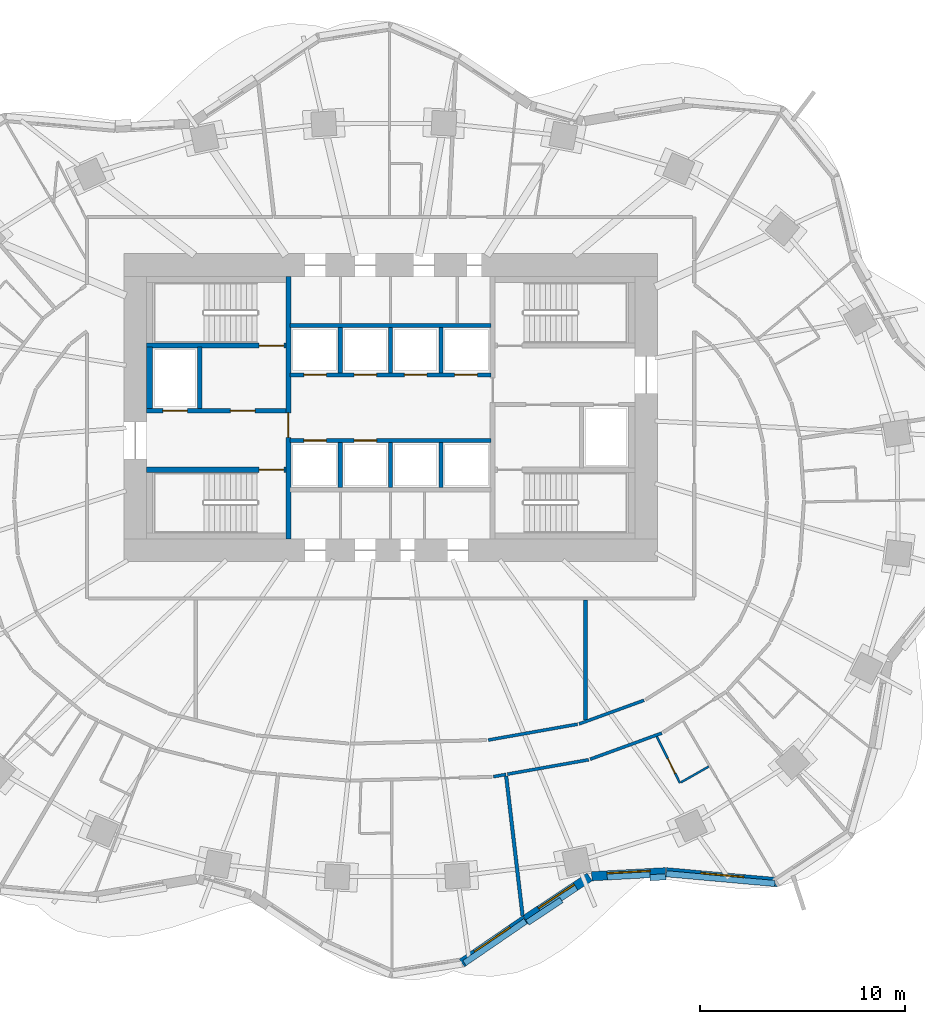
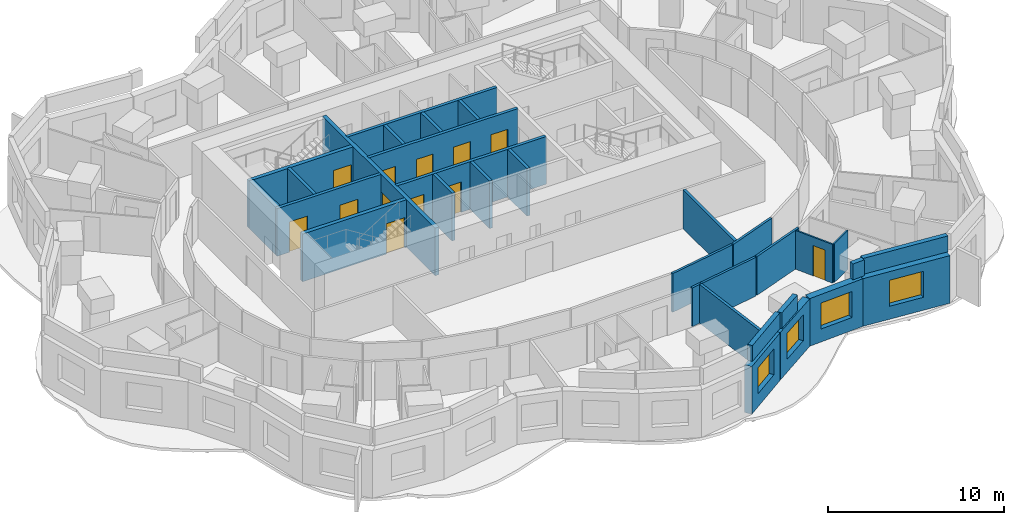
# One storey, part 6 of 12: 32 walls, 12 doors, 4 windows, 16 openings.
"""IFC4 building model written with IfcOpenShell, lengths in metres."""

from ifc_helpers import new_model, si_unit, direction, frame, frame_2d, origin, place, context, subcontext, project, spatial, rectangle, extrude, material, layer, layer_set, type_object, element, fill, save


model = new_model("IFC4")

# Units and contexts
model_context = context("Model", 3, precision=1e-05, world=origin(), true_north=direction((0.0, 1.0)))
body_context = subcontext(model_context, "Body", "Model", "MODEL_VIEW")
ifc_project = project(units=[si_unit("LENGTHUNIT", "METRE"), si_unit("AREAUNIT", "SQUARE_METRE"), si_unit("VOLUMEUNIT", "CUBIC_METRE"), si_unit("PLANEANGLEUNIT", "RADIAN"), si_unit("MASSUNIT", "GRAM", prefix="KILO")], contexts=[model_context])

# Site, building, storey
site_placement = place(None, origin())
site = spatial("IfcSite", under=ifc_project, at=site_placement, CompositionType="ELEMENT")
building_placement = place(site_placement, origin())
building = spatial("IfcBuilding", under=site, at=building_placement, Name="Rubra Terraces Tower", CompositionType="ELEMENT")
storey_placement = place(building_placement, frame((0.0, 0.0, 117.60009765625)))
storey = spatial("IfcBuildingStorey", under=building, at=storey_placement, Name="L28", CompositionType="ELEMENT", Elevation=117.60009765625)

# Walls
ifc_material_1 = material(Name="Twin plasterboard on staggered steel stud, acoustic mineral wool", Category="steel")
ifc_layer_1 = layer(ifc_material_1, 0.175048828125)
ifc_layer_set_1 = layer_set([ifc_layer_1], Name="Twin plasterboard on staggered steel stud, acoustic mineral wool")
wall_type_1 = type_object("IfcWallType", Name="ACOUSTIC PARTY WALL 175", PredefinedType="PARTITIONING", material=ifc_layer_set_1)
wall_1_placement = place(storey_placement, frame((6.433349609375, -20.256103515625, 0.0), z_axis=(0.0, 0.0, 1.0), x_axis=(-0.116866039573, 0.993147687303, 0.0)))
element("IfcWall", 1, at=wall_1_placement, inside=storey, type_object=wall_type_1, Name="PARTITION", PredefinedType="PARTITIONING", context=body_context, shape_type="SweptSolid", body=[
    extrude(rectangle(XDim=6.856201171875, YDim=0.175048828125, at=frame_2d((3.42822265625, 0.0))), origin(), (0.0, 0.0, 1.0), 2.683837890625),
])
wall_2_placement = place(storey_placement, frame((9.5, -10.723388671875, 0.0), z_axis=(0.0, 0.0, 1.0), x_axis=(0.0, 1.0, 0.0)))
element("IfcWall", 2, at=wall_2_placement, inside=storey, type_object=wall_type_1, Name="PARTITION", PredefinedType="PARTITIONING", context=body_context, shape_type="SweptSolid", body=[
    extrude(rectangle(XDim=5.848388671875, YDim=0.175048828125, at=frame_2d((2.92431640625, 0.0))), origin(), (0.0, 0.0, 1.0), 2.683837890625),
])

# Wall, opening, window
ifc_material_2 = material(Name="Brick masonry red-brown", Category="masonry")
ifc_layer_2 = layer(ifc_material_2, 0.449951171875)
ifc_layer_set_2 = layer_set([ifc_layer_2], Name="Brick masonry red-brown")
wall_type_2 = type_object("IfcWallType", Name="Brick facade wall 450", PredefinedType="SOLIDWALL", material=ifc_layer_set_2)
wall_3_placement = place(storey_placement, frame((3.478515625, -22.559814453125, 0.0), z_axis=(0.0, 0.0, 1.0), x_axis=(0.824722766417, 0.565537230033, 0.0)))
wall_3 = element("IfcWall", 3, at=wall_3_placement, inside=storey, type_object=wall_type_2, Name="Facade wall L28 bay 32", PredefinedType="SOLIDWALL", context=body_context, shape_type="SweptSolid", body=[
    extrude(rectangle(XDim=3.742431640625, YDim=0.449951171875, at=frame_2d((1.87109375, 0.0))), origin(), (0.0, 0.0, 1.0), 3.2998046875),
])
opening_1_placement = place(wall_3_placement, frame((0.8212890625, 0.0, 0.89990234375)))
opening_1 = element("IfcOpeningElement", 4, at=opening_1_placement, cuts=wall_3, Name="Opening W1Z", PredefinedType="OPENING", context=body_context, shape_type="SweptSolid", body=[
    extrude(rectangle(XDim=2.10009765625, YDim=1.800048828125, at=frame_2d((1.050048828125, 0.89990234375))), frame((0.0, 0.23486328125, 0.0), z_axis=(0.0, -1.0, 0.0), x_axis=(1.0, 0.0, 0.0)), (0.0, 0.0, 1.0), 0.469970703125),
])
ifc_material_3 = material(Name="Clear glass in aluminium frame", Category="aluminium")
window_type = type_object("IfcWindowType", Name="Fixed deep-set window under transfer level 2100 x 1800", PartitioningType="SINGLE_PANEL", PredefinedType="WINDOW", material=ifc_material_3)
window_1_placement = place(opening_1_placement, origin())
window_1 = element("IfcWindow", 5, at=window_1_placement, inside=storey, type_object=window_type, Name="Window L28 bay 32", OverallHeight=1.800048828125, OverallWidth=2.10009765625, PartitioningType="SINGLE_PANEL", PredefinedType="WINDOW", context=body_context, shape_type="SweptSolid", body=[
    extrude(rectangle(XDim=2.10009765625, YDim=1.800048828125, at=frame_2d((1.050048828125, 0.89990234375))), frame((0.0, 0.135009765625, 0.0), z_axis=(0.0, -1.0, 0.0), x_axis=(1.0, 0.0, 0.0)), (0.0, 0.0, 1.0), 0.06005859375),
])
fill(opening_1, window_1)

wall_4_placement = place(storey_placement, frame((6.568115234375, -20.44140625, 0.0), z_axis=(0.0, 0.0, 1.0), x_axis=(0.834034214531, 0.551712723246, 0.0)))
wall_4 = element("IfcWall", 6, at=wall_4_placement, inside=storey, type_object=wall_type_2, Name="Facade wall L28 bay 33", PredefinedType="SOLIDWALL", context=body_context, shape_type="SweptSolid", body=[
    extrude(rectangle(XDim=3.75732421875, YDim=0.449951171875, at=frame_2d((1.878662109375, 0.0))), origin(), (0.0, 0.0, 1.0), 3.2998046875),
])
opening_2_placement = place(wall_4_placement, frame((0.82861328125, 0.0, 0.89990234375)))
opening_2 = element("IfcOpeningElement", 7, at=opening_2_placement, cuts=wall_4, Name="Opening W1Z", PredefinedType="OPENING", context=body_context, shape_type="SweptSolid", body=[
    extrude(rectangle(XDim=2.10009765625, YDim=1.800048828125, at=frame_2d((1.050048828125, 0.89990234375))), frame((0.0, 0.23486328125, 0.0), z_axis=(0.0, -1.0, 0.0), x_axis=(1.0, 0.0, 0.0)), (0.0, 0.0, 1.0), 0.469970703125),
])
window_2_placement = place(opening_2_placement, origin())
window_2 = element("IfcWindow", 8, at=window_2_placement, inside=storey, type_object=window_type, Name="Window L28 bay 33", OverallHeight=1.800048828125, OverallWidth=2.10009765625, PartitioningType="SINGLE_PANEL", PredefinedType="WINDOW", context=body_context, shape_type="SweptSolid", body=[
    extrude(rectangle(XDim=2.10009765625, YDim=1.800048828125, at=frame_2d((1.050048828125, 0.89990234375))), frame((0.0, 0.135009765625, 0.0), z_axis=(0.0, -1.0, 0.0), x_axis=(1.0, 0.0, 0.0)), (0.0, 0.0, 1.0), 0.06005859375),
])
fill(opening_2, window_2)

wall_5_placement = place(storey_placement, frame((9.80322265625, -18.333740234375, 0.0), z_axis=(0.0, 0.0, 1.0), x_axis=(0.998525941495, 0.054276552602, 0.0)))
wall_5 = element("IfcWall", 9, at=wall_5_placement, inside=storey, type_object=wall_type_2, Name="Facade wall L28 bay 34", PredefinedType="SOLIDWALL", context=body_context, shape_type="SweptSolid", body=[
    extrude(rectangle(XDim=3.60302734375, YDim=0.449951171875, at=frame_2d((1.801513671875, 0.0))), origin(), (0.0, 0.0, 1.0), 3.2998046875),
])
opening_3_placement = place(wall_5_placement, frame((0.75146484375, 0.0, 0.89990234375)))
opening_3 = element("IfcOpeningElement", 10, at=opening_3_placement, cuts=wall_5, Name="Opening W1Z", PredefinedType="OPENING", context=body_context, shape_type="SweptSolid", body=[
    extrude(rectangle(XDim=2.10009765625, YDim=1.800048828125, at=frame_2d((1.050048828125, 0.89990234375))), frame((0.0, 0.23486328125, 0.0), z_axis=(0.0, -1.0, 0.0), x_axis=(1.0, 0.0, 0.0)), (0.0, 0.0, 1.0), 0.469970703125),
])
window_3_placement = place(opening_3_placement, origin())
window_3 = element("IfcWindow", 11, at=window_3_placement, inside=storey, type_object=window_type, Name="Window L28 bay 34", OverallHeight=1.800048828125, OverallWidth=2.10009765625, PartitioningType="SINGLE_PANEL", PredefinedType="WINDOW", context=body_context, shape_type="SweptSolid", body=[
    extrude(rectangle(XDim=2.10009765625, YDim=1.800048828125, at=frame_2d((1.050048828125, 0.89990234375))), frame((0.0, 0.135009765625, 0.0), z_axis=(0.0, -1.0, 0.0), x_axis=(1.0, 0.0, 0.0)), (0.0, 0.0, 1.0), 0.06005859375),
])
fill(opening_3, window_3)

wall_6_placement = place(storey_placement, frame((13.435791015625, -18.1376953125, 0.0), z_axis=(0.0, 0.0, 1.0), x_axis=(0.99598810213, -0.089485755376, 0.0)))
wall_6 = element("IfcWall", 12, at=wall_6_placement, inside=storey, type_object=wall_type_2, Name="Facade wall L28 bay 35", PredefinedType="SOLIDWALL", context=body_context, shape_type="SweptSolid", body=[
    extrude(rectangle(XDim=5.451171875, YDim=0.449951171875, at=frame_2d((2.7255859375, 0.0))), origin(), (0.0, 0.0, 1.0), 3.2998046875),
])
opening_4_placement = place(wall_6_placement, frame((1.675537109375, 0.0, 0.89990234375)))
opening_4 = element("IfcOpeningElement", 13, at=opening_4_placement, cuts=wall_6, Name="Opening W1Z", PredefinedType="OPENING", context=body_context, shape_type="SweptSolid", body=[
    extrude(rectangle(XDim=2.10009765625, YDim=1.800048828125, at=frame_2d((1.050048828125, 0.89990234375))), frame((0.0, 0.23486328125, 0.0), z_axis=(0.0, -1.0, 0.0), x_axis=(1.0, 0.0, 0.0)), (0.0, 0.0, 1.0), 0.469970703125),
])
window_4_placement = place(opening_4_placement, origin())
window_4 = element("IfcWindow", 14, at=window_4_placement, inside=storey, type_object=window_type, Name="Window L28 bay 35", OverallHeight=1.800048828125, OverallWidth=2.10009765625, PartitioningType="SINGLE_PANEL", PredefinedType="WINDOW", context=body_context, shape_type="SweptSolid", body=[
    extrude(rectangle(XDim=2.10009765625, YDim=1.800048828125, at=frame_2d((1.050048828125, 0.89990234375))), frame((0.0, 0.135009765625, 0.0), z_axis=(0.0, -1.0, 0.0), x_axis=(1.0, 0.0, 0.0)), (0.0, 0.0, 1.0), 0.06005859375),
])
fill(opening_4, window_4)

# Walls
ifc_layer_3 = layer(ifc_material_2, 0.300048828125)
ifc_layer_set_3 = layer_set([ifc_layer_3], Name="Brick masonry red-brown")
wall_type_3 = type_object("IfcWallType", Name="Brick parapet 300", PredefinedType="PARAPET", material=ifc_layer_set_3)
wall_7_placement = place(storey_placement, frame((3.59912109375, -22.56787109375, 3.599853515625), z_axis=(0.0, 0.0, 1.0), x_axis=(0.82476034254, 0.565482428881, 0.0)))
element("IfcWall", 15, at=wall_7_placement, inside=storey, type_object=wall_type_3, Name="Parapet L28 bay 32", PredefinedType="PARAPET", context=body_context, shape_type="SweptSolid", body=[
    extrude(rectangle(XDim=3.61572265625, YDim=0.300048828125, at=frame_2d((1.807861328125, 0.0))), origin(), (0.0, 0.0, 1.0), 1.10009765625),
])
wall_8_placement = place(storey_placement, frame((6.665283203125, -20.593017578125, 3.599853515625), z_axis=(0.0, 0.0, 1.0), x_axis=(0.834081514068, 0.551641213008, 0.0)))
element("IfcWall", 16, at=wall_8_placement, inside=storey, type_object=wall_type_3, Name="Parapet L28 bay 33", PredefinedType="PARAPET", context=body_context, shape_type="SweptSolid", body=[
    extrude(rectangle(XDim=1.991455078125, YDim=0.300048828125, at=frame_2d((0.99560546875, 0.0))), origin(), (0.0, 0.0, 1.0), 1.10009765625),
])
wall_9_placement = place(storey_placement, frame((12.638671875, -18.40478515625, 3.599853515625), z_axis=(0.0, 0.0, 1.0), x_axis=(0.998517272222, 0.054435806917, 0.0)))
element("IfcWall", 17, at=wall_9_placement, inside=storey, type_object=wall_type_3, Name="Parapet L28 bay 34", PredefinedType="PARAPET", context=body_context, shape_type="SweptSolid", body=[
    extrude(rectangle(XDim=0.771484375, YDim=0.300048828125, at=frame_2d((0.3857421875, 0.0))), origin(), (0.0, 0.0, 1.0), 1.10009765625),
])
wall_10_placement = place(storey_placement, frame((13.430908203125, -18.21240234375, 3.599853515625), z_axis=(0.0, 0.0, 1.0), x_axis=(0.995986354678, -0.089505202619, 0.0)))
element("IfcWall", 18, at=wall_10_placement, inside=storey, type_object=wall_type_3, Name="Parapet L28 bay 35", PredefinedType="PARAPET", context=body_context, shape_type="SweptSolid", body=[
    extrude(rectangle(XDim=5.31884765625, YDim=0.300048828125, at=frame_2d((2.659423828125, 0.0))), origin(), (0.0, 0.0, 1.0), 1.10009765625),
])
ifc_material_4 = material(Name="Plasterboard on steel stud, mineral wool infill", Category="steel")
ifc_layer_4 = layer(ifc_material_4, 0.14990234375)
ifc_layer_set_4 = layer_set([ifc_layer_4], Name="Plasterboard on steel stud, mineral wool infill")
wall_type_4 = type_object("IfcWallType", Name="CORRIDOR PARTITION 150", PredefinedType="PARTITIONING", material=ifc_layer_set_4)
wall_11_placement = place(storey_placement, frame((5.0146484375, -13.480224609375, 0.0), z_axis=(0.0, 0.0, 1.0), x_axis=(0.984644078065, 0.174573879866, 0.0)))
element("IfcWall", 19, at=wall_11_placement, inside=storey, type_object=wall_type_4, Name="PARTITION", PredefinedType="PARTITIONING", context=body_context, shape_type="SweptSolid", body=[
    extrude(rectangle(XDim=0.6181640625, YDim=0.14990234375, at=frame_2d((0.30908203125, 0.0))), origin(), (0.0, 0.0, 1.0), 2.683837890625),
])
wall_12_placement = place(storey_placement, frame((5.697021484375, -13.359130859375, 0.0), z_axis=(0.0, 0.0, 1.0), x_axis=(0.984641449362, 0.174588705818, 0.0)))
element("IfcWall", 20, at=wall_12_placement, inside=storey, type_object=wall_type_4, Name="PARTITION", PredefinedType="PARTITIONING", context=body_context, shape_type="SweptSolid", body=[
    extrude(rectangle(XDim=4.021728515625, YDim=0.14990234375, at=frame_2d((2.0107421875, 0.0))), origin(), (0.0, 0.0, 1.0), 2.683837890625),
])
wall_13_placement = place(storey_placement, frame((9.7275390625, -12.631103515625, 0.0), z_axis=(0.0, 0.0, 1.0), x_axis=(0.939626438181, 0.342201923826, 0.0)))
element("IfcWall", 21, at=wall_13_placement, inside=storey, type_object=wall_type_4, Name="PARTITION", PredefinedType="PARTITIONING", context=body_context, shape_type="SweptSolid", body=[
    extrude(rectangle(XDim=3.71630859375, YDim=0.14990234375, at=frame_2d((1.858154296875, 0.0))), origin(), (0.0, 0.0, 1.0), 2.683837890625),
])
wall_14_placement = place(storey_placement, frame((12.3525390625, -9.759521484375, 0.0), z_axis=(0.0, 0.0, 1.0), x_axis=(-0.939632450309, -0.342185415127, 0.0)))
element("IfcWall", 22, at=wall_14_placement, inside=storey, type_object=wall_type_4, Name="PARTITION", PredefinedType="PARTITIONING", context=body_context, shape_type="SweptSolid", body=[
    extrude(rectangle(XDim=3.36767578125, YDim=0.14990234375, at=frame_2d((1.683837890625, 0.0))), origin(), (0.0, 0.0, 1.0), 2.683837890625),
])
wall_15_placement = place(storey_placement, frame((9.114501953125, -10.925048828125, 0.0), z_axis=(0.0, 0.0, 1.0), x_axis=(-0.984632605417, -0.174638576352, 0.0)))
element("IfcWall", 23, at=wall_15_placement, inside=storey, type_object=wall_type_4, Name="PARTITION", PredefinedType="PARTITIONING", context=body_context, shape_type="SweptSolid", body=[
    extrude(rectangle(XDim=4.423095703125, YDim=0.14990234375, at=frame_2d((2.21142578125, 0.0))), origin(), (0.0, 0.0, 1.0), 2.683837890625),
])
ifc_material_5 = material(Name="Concrete C40", Category="concrete")
ifc_layer_5 = layer(ifc_material_5, 0.300048828125)
ifc_layer_set_5 = layer_set([ifc_layer_5], Name="Concrete C40")
wall_type_5 = type_object("IfcWallType", Name="Core lining wall 300 concrete", PredefinedType="SOLIDWALL", material=ifc_layer_set_5)
wall_16_placement = place(storey_placement, frame((-11.75, 4.449951171875, 0.0), z_axis=(0.0, 0.0, 1.0), x_axis=(0.0, 1.0, 0.0)))
element("IfcWall", 24, at=wall_16_placement, inside=storey, type_object=wall_type_5, Name="CORE LINING WALL L28", PredefinedType="SOLIDWALL", context=body_context, shape_type="SweptSolid", body=[
    extrude(rectangle(XDim=3.0, YDim=0.300048828125, at=frame_2d((1.5, 0.0))), origin(), (0.0, 0.0, 1.0), 3.2998046875),
])

# Wall, openings, doors
ifc_material_6 = material(Name="Concrete C30", Category="concrete")
ifc_layer_6 = layer(ifc_material_6, 0.199951171875)
ifc_layer_set_6 = layer_set([ifc_layer_6], Name="Concrete C30")
wall_type_6 = type_object("IfcWallType", Name="Core wall 200 concrete", PredefinedType="SOLIDWALL", material=ifc_layer_set_6)
wall_17_placement = place(storey_placement, frame((-11.89990234375, 4.35009765625, 0.0), z_axis=(0.0, 0.0, 1.0), x_axis=(1.0, 0.0, 0.0)))
wall_17 = element("IfcWall", 25, at=wall_17_placement, inside=storey, type_object=wall_type_6, Name="STAIR WALL L28", PredefinedType="SOLIDWALL", context=body_context, shape_type="SweptSolid", body=[
    extrude(rectangle(XDim=6.7998046875, YDim=0.199951171875, at=frame_2d((3.39990234375, 0.0))), origin(), (0.0, 0.0, 1.0), 3.2998046875),
])
opening_5_placement = place(wall_17_placement, frame((4.10009765625, 0.0, 0.0)))
opening_5 = element("IfcOpeningElement", 26, at=opening_5_placement, cuts=wall_17, Name="Opening L28.C05", PredefinedType="OPENING", context=body_context, shape_type="SweptSolid", body=[
    extrude(rectangle(XDim=1.199951171875, YDim=2.10009765625, at=frame_2d((0.60009765625, 1.050048828125))), frame((0.0, 0.10986328125, 0.0), z_axis=(0.0, -1.0, 0.0), x_axis=(1.0, 0.0, 0.0)), (0.0, 0.0, 1.0), 0.219970703125),
])
opening_6_placement = place(wall_17_placement, frame((0.800048828125, 0.0, 0.0)))
opening_6 = element("IfcOpeningElement", 27, at=opening_6_placement, cuts=wall_17, Name="Opening L28.C11", PredefinedType="OPENING", context=body_context, shape_type="SweptSolid", body=[
    extrude(rectangle(XDim=1.199951171875, YDim=2.10009765625, at=frame_2d((0.60009765625, 1.050048828125))), frame((0.0, 0.10986328125, 0.0), z_axis=(0.0, -1.0, 0.0), x_axis=(1.0, 0.0, 0.0)), (0.0, 0.0, 1.0), 0.219970703125),
])
ifc_material_7 = material(Name="Painted steel", Category="steel")
door_type_1 = type_object("IfcDoorType", Name="Fire door 1200x2100 single", OperationType="NOTDEFINED", PredefinedType="DOOR", material=ifc_material_7)
door_1_placement = place(opening_5_placement, origin())
door_1 = element("IfcDoor", 28, at=door_1_placement, inside=storey, type_object=door_type_1, Name="Stair vestibule door S2", OperationType="SINGLE_SWING_LEFT", OverallHeight=2.10009765625, OverallWidth=1.199951171875, PredefinedType="DOOR", context=body_context, shape_type="SweptSolid", body=[
    extrude(rectangle(XDim=1.199951171875, YDim=2.10009765625, at=frame_2d((0.60009765625, 1.050048828125))), frame((0.0, 0.02490234375, 0.0), z_axis=(0.0, -1.0, 0.0), x_axis=(1.0, 0.0, 0.0)), (0.0, 0.0, 1.0), 0.050048828125),
])
fill(opening_5, door_1)
ifc_material_8 = material(Name="Stainless steel", Category="steel")
door_type_2 = type_object("IfcDoorType", Name="Lift landing door 1200x2100", OperationType="NOTDEFINED", PredefinedType="DOOR", material=ifc_material_8)
door_2_placement = place(opening_6_placement, origin())
door_2 = element("IfcDoor", 29, at=door_2_placement, inside=storey, type_object=door_type_2, Name="Landing door FF1", OperationType="SLIDING_TO_RIGHT", OverallHeight=2.10009765625, OverallWidth=1.199951171875, PredefinedType="DOOR", context=body_context, shape_type="SweptSolid", body=[
    extrude(rectangle(XDim=1.199951171875, YDim=2.10009765625, at=frame_2d((0.60009765625, 1.050048828125))), frame((0.0, 0.02490234375, 0.0), z_axis=(0.0, -1.0, 0.0), x_axis=(1.0, 0.0, 0.0)), (0.0, 0.0, 1.0), 0.050048828125),
])
fill(opening_6, door_2)

# Wall
wall_18_placement = place(storey_placement, frame((-9.300048828125, 4.449951171875, 0.0), z_axis=(0.0, 0.0, 1.0), x_axis=(0.0, 1.0, 0.0)))
element("IfcWall", 30, at=wall_18_placement, inside=storey, type_object=wall_type_6, Name="STAIR WALL L28", PredefinedType="SOLIDWALL", context=body_context, shape_type="SweptSolid", body=[
    extrude(rectangle(XDim=3.0, YDim=0.199951171875, at=frame_2d((1.5, 0.0))), origin(), (0.0, 0.0, 1.0), 3.2998046875),
])

# Wall, openings, doors
wall_19_placement = place(storey_placement, frame((-4.89990234375, 2.89990234375, 0.0), z_axis=(0.0, 0.0, 1.0), x_axis=(1.0, 0.0, 0.0)))
wall_19 = element("IfcWall", 31, at=wall_19_placement, inside=storey, type_object=wall_type_6, Name="LIFT SHAFT WALL L28", PredefinedType="SOLIDWALL", context=body_context, shape_type="SweptSolid", body=[
    extrude(rectangle(XDim=9.7998046875, YDim=0.199951171875, at=frame_2d((4.89990234375, 0.0))), origin(), (0.0, 0.0, 1.0), 3.2998046875),
])
opening_7_placement = place(wall_19_placement, frame((0.675048828125, 0.0, 0.0)))
opening_7 = element("IfcOpeningElement", 32, at=opening_7_placement, cuts=wall_19, Name="Opening L28.C13", PredefinedType="OPENING", context=body_context, shape_type="SweptSolid", body=[
    extrude(rectangle(XDim=1.10009765625, YDim=2.10009765625, at=frame_2d((0.550048828125, 1.050048828125))), frame((0.0, 0.10986328125, 0.0), z_axis=(0.0, -1.0, 0.0), x_axis=(1.0, 0.0, 0.0)), (0.0, 0.0, 1.0), 0.219970703125),
])
opening_8_placement = place(wall_19_placement, frame((3.125, 0.0, 0.0)))
opening_8 = element("IfcOpeningElement", 33, at=opening_8_placement, cuts=wall_19, Name="Opening L28.C14", PredefinedType="OPENING", context=body_context, shape_type="SweptSolid", body=[
    extrude(rectangle(XDim=1.10009765625, YDim=2.10009765625, at=frame_2d((0.550048828125, 1.050048828125))), frame((0.0, 0.10986328125, 0.0), z_axis=(0.0, -1.0, 0.0), x_axis=(1.0, 0.0, 0.0)), (0.0, 0.0, 1.0), 0.219970703125),
])
door_type_3 = type_object("IfcDoorType", Name="Lift landing door 1100x2100", OperationType="NOTDEFINED", PredefinedType="DOOR", material=ifc_material_8)
door_3_placement = place(opening_7_placement, origin())
door_3 = element("IfcDoor", 34, at=door_3_placement, inside=storey, type_object=door_type_3, Name="Landing door LB1", OperationType="SLIDING_TO_RIGHT", OverallHeight=2.10009765625, OverallWidth=1.10009765625, PredefinedType="DOOR", context=body_context, shape_type="SweptSolid", body=[
    extrude(rectangle(XDim=1.10009765625, YDim=2.10009765625, at=frame_2d((0.550048828125, 1.050048828125))), frame((0.0, 0.02490234375, 0.0), z_axis=(0.0, -1.0, 0.0), x_axis=(1.0, 0.0, 0.0)), (0.0, 0.0, 1.0), 0.050048828125),
])
fill(opening_7, door_3)
door_4_placement = place(opening_8_placement, origin())
door_4 = element("IfcDoor", 35, at=door_4_placement, inside=storey, type_object=door_type_3, Name="Landing door LB2", OperationType="SLIDING_TO_LEFT", OverallHeight=2.10009765625, OverallWidth=1.10009765625, PredefinedType="DOOR", context=body_context, shape_type="SweptSolid", body=[
    extrude(rectangle(XDim=1.10009765625, YDim=2.10009765625, at=frame_2d((0.550048828125, 1.050048828125))), frame((0.0, 0.02490234375, 0.0), z_axis=(0.0, -1.0, 0.0), x_axis=(1.0, 0.0, 0.0)), (0.0, 0.0, 1.0), 0.050048828125),
])
fill(opening_8, door_4)

wall_20_placement = place(storey_placement, frame((-4.89990234375, 6.10009765625, 0.0), z_axis=(0.0, 0.0, 1.0), x_axis=(1.0, 0.0, 0.0)))
wall_20 = element("IfcWall", 36, at=wall_20_placement, inside=storey, type_object=wall_type_6, Name="LIFT SHAFT WALL L28", PredefinedType="SOLIDWALL", context=body_context, shape_type="SweptSolid", body=[
    extrude(rectangle(XDim=9.7998046875, YDim=0.199951171875, at=frame_2d((4.89990234375, 0.0))), origin(), (0.0, 0.0, 1.0), 3.2998046875),
])
opening_9_placement = place(wall_20_placement, frame((0.675048828125, 0.0, 0.0)))
opening_9 = element("IfcOpeningElement", 37, at=opening_9_placement, cuts=wall_20, Name="Opening L28.C15", PredefinedType="OPENING", context=body_context, shape_type="SweptSolid", body=[
    extrude(rectangle(XDim=1.10009765625, YDim=2.10009765625, at=frame_2d((0.550048828125, 1.050048828125))), frame((0.0, 0.10986328125, 0.0), z_axis=(0.0, -1.0, 0.0), x_axis=(1.0, 0.0, 0.0)), (0.0, 0.0, 1.0), 0.219970703125),
])
opening_10_placement = place(wall_20_placement, frame((3.125, 0.0, 0.0)))
opening_10 = element("IfcOpeningElement", 38, at=opening_10_placement, cuts=wall_20, Name="Opening L28.C16", PredefinedType="OPENING", context=body_context, shape_type="SweptSolid", body=[
    extrude(rectangle(XDim=1.10009765625, YDim=2.10009765625, at=frame_2d((0.550048828125, 1.050048828125))), frame((0.0, 0.10986328125, 0.0), z_axis=(0.0, -1.0, 0.0), x_axis=(1.0, 0.0, 0.0)), (0.0, 0.0, 1.0), 0.219970703125),
])
opening_11_placement = place(wall_20_placement, frame((5.574951171875, 0.0, 0.0)))
opening_11 = element("IfcOpeningElement", 39, at=opening_11_placement, cuts=wall_20, Name="Opening L28.C17", PredefinedType="OPENING", context=body_context, shape_type="SweptSolid", body=[
    extrude(rectangle(XDim=1.10009765625, YDim=2.10009765625, at=frame_2d((0.550048828125, 1.050048828125))), frame((0.0, 0.10986328125, 0.0), z_axis=(0.0, -1.0, 0.0), x_axis=(1.0, 0.0, 0.0)), (0.0, 0.0, 1.0), 0.219970703125),
])
opening_12_placement = place(wall_20_placement, frame((8.02490234375, 0.0, 0.0)))
opening_12 = element("IfcOpeningElement", 40, at=opening_12_placement, cuts=wall_20, Name="Opening L28.C18", PredefinedType="OPENING", context=body_context, shape_type="SweptSolid", body=[
    extrude(rectangle(XDim=1.10009765625, YDim=2.10009765625, at=frame_2d((0.550048828125, 1.050048828125))), frame((0.0, 0.10986328125, 0.0), z_axis=(0.0, -1.0, 0.0), x_axis=(1.0, 0.0, 0.0)), (0.0, 0.0, 1.0), 0.219970703125),
])
door_5_placement = place(opening_9_placement, origin())
door_5 = element("IfcDoor", 41, at=door_5_placement, inside=storey, type_object=door_type_3, Name="Landing door LB3", OperationType="SLIDING_TO_RIGHT", OverallHeight=2.10009765625, OverallWidth=1.10009765625, PredefinedType="DOOR", context=body_context, shape_type="SweptSolid", body=[
    extrude(rectangle(XDim=1.10009765625, YDim=2.10009765625, at=frame_2d((0.550048828125, 1.050048828125))), frame((0.0, 0.02490234375, 0.0), z_axis=(0.0, -1.0, 0.0), x_axis=(1.0, 0.0, 0.0)), (0.0, 0.0, 1.0), 0.050048828125),
])
fill(opening_9, door_5)
door_6_placement = place(opening_10_placement, origin())
door_6 = element("IfcDoor", 42, at=door_6_placement, inside=storey, type_object=door_type_3, Name="Landing door LB4", OperationType="SLIDING_TO_LEFT", OverallHeight=2.10009765625, OverallWidth=1.10009765625, PredefinedType="DOOR", context=body_context, shape_type="SweptSolid", body=[
    extrude(rectangle(XDim=1.10009765625, YDim=2.10009765625, at=frame_2d((0.550048828125, 1.050048828125))), frame((0.0, 0.02490234375, 0.0), z_axis=(0.0, -1.0, 0.0), x_axis=(1.0, 0.0, 0.0)), (0.0, 0.0, 1.0), 0.050048828125),
])
fill(opening_10, door_6)
door_7_placement = place(opening_11_placement, origin())
door_7 = element("IfcDoor", 43, at=door_7_placement, inside=storey, type_object=door_type_3, Name="Landing door LB5", OperationType="SLIDING_TO_RIGHT", OverallHeight=2.10009765625, OverallWidth=1.10009765625, PredefinedType="DOOR", context=body_context, shape_type="SweptSolid", body=[
    extrude(rectangle(XDim=1.10009765625, YDim=2.10009765625, at=frame_2d((0.550048828125, 1.050048828125))), frame((0.0, 0.02490234375, 0.0), z_axis=(0.0, -1.0, 0.0), x_axis=(1.0, 0.0, 0.0)), (0.0, 0.0, 1.0), 0.050048828125),
])
fill(opening_11, door_7)
door_8_placement = place(opening_12_placement, origin())
door_8 = element("IfcDoor", 44, at=door_8_placement, inside=storey, type_object=door_type_3, Name="Landing door LB6", OperationType="SLIDING_TO_LEFT", OverallHeight=2.10009765625, OverallWidth=1.10009765625, PredefinedType="DOOR", context=body_context, shape_type="SweptSolid", body=[
    extrude(rectangle(XDim=1.10009765625, YDim=2.10009765625, at=frame_2d((0.550048828125, 1.050048828125))), frame((0.0, 0.02490234375, 0.0), z_axis=(0.0, -1.0, 0.0), x_axis=(1.0, 0.0, 0.0)), (0.0, 0.0, 1.0), 0.050048828125),
])
fill(opening_12, door_8)

# Walls
wall_21_placement = place(storey_placement, frame((-4.89990234375, 8.5, 0.0), z_axis=(0.0, 0.0, 1.0), x_axis=(1.0, 0.0, 0.0)))
element("IfcWall", 45, at=wall_21_placement, inside=storey, type_object=wall_type_6, Name="LIFT SHAFT WALL L28", PredefinedType="SOLIDWALL", context=body_context, shape_type="SweptSolid", body=[
    extrude(rectangle(XDim=9.7998046875, YDim=0.199951171875, at=frame_2d((4.89990234375, 0.0))), origin(), (0.0, 0.0, 1.0), 3.2998046875),
])
for number, where, z_axis, x_axis, name in (
    (46, (-2.449951171875, 0.60009765625, 0.0), (0.0, 0.0, 1.0), (0.0, 1.0, 0.0), "LIFT SHAFT WALL L28"),
    (47, (0.0, 0.60009765625, 0.0), (0.0, 0.0, 1.0), (0.0, 1.0, 0.0), "LIFT SHAFT WALL L28"),
    (48, (2.449951171875, 0.60009765625, 0.0), (0.0, 0.0, 1.0), (0.0, 1.0, 0.0), "LIFT SHAFT WALL L28"),
    (49, (-2.449951171875, 6.199951171875, 0.0), (0.0, 0.0, 1.0), (0.0, 1.0, 0.0), "LIFT SHAFT WALL L28"),
    (50, (0.0, 6.199951171875, 0.0), (0.0, 0.0, 1.0), (0.0, 1.0, 0.0), "LIFT SHAFT WALL L28"),
    (51, (2.449951171875, 6.199951171875, 0.0), (0.0, 0.0, 1.0), (0.0, 1.0, 0.0), "LIFT SHAFT WALL L28"),
):
    element("IfcWall", number, at=place(storey_placement, frame(where, z_axis=z_axis, x_axis=x_axis)), inside=storey, type_object=wall_type_6, Name=name, PredefinedType="SOLIDWALL", context=body_context, shape_type="SweptSolid", body=[
        extrude(rectangle(XDim=2.199951171875, YDim=0.199951171875, at=frame_2d((1.10009765625, 0.0))), origin(), (0.0, 0.0, 1.0), 3.2998046875),
    ])

# Wall, opening, door
ifc_material_9 = material(Name="Plasterboard on steel stud", Category="steel")
ifc_layer_7 = layer(ifc_material_9, 0.10009765625)
ifc_layer_set_7 = layer_set([ifc_layer_7], Name="Plasterboard on steel stud")
wall_type_7 = type_object("IfcWallType", Name="ROOM PARTITION 100", PredefinedType="PARTITIONING", material=ifc_layer_set_7)
wall_22_placement = place(storey_placement, frame((12.97314453125, -11.5283203125, 0.0), z_axis=(0.0, 0.0, 1.0), x_axis=(0.446788124497, -0.894639800036, 0.0)))
wall_22 = element("IfcWall", 52, at=wall_22_placement, inside=storey, type_object=wall_type_7, Name="PARTITION", PredefinedType="PARTITIONING", context=body_context, shape_type="SweptSolid", body=[
    extrude(rectangle(XDim=2.525146484375, YDim=0.10009765625, at=frame_2d((1.2626953125, 0.0))), origin(), (0.0, 0.0, 1.0), 2.683837890625),
])
opening_13_placement = place(wall_22_placement, frame((1.199951171875, 0.0, 0.0)))
opening_13 = element("IfcOpeningElement", 53, at=opening_13_placement, cuts=wall_22, Name="Opening 28-104", PredefinedType="OPENING", context=body_context, shape_type="SweptSolid", body=[
    extrude(rectangle(XDim=0.800048828125, YDim=2.10009765625, at=frame_2d((0.39990234375, 1.050048828125))), frame((0.0, 0.06005859375, 0.0), z_axis=(0.0, -1.0, 0.0), x_axis=(1.0, 0.0, 0.0)), (0.0, 0.0, 1.0), 0.1201171875),
])
ifc_material_10 = material(Name="Painted timber door leaf", Category="wood")
door_type_4 = type_object("IfcDoorType", Name="BATHROOM DOOR 800 X 2100", OperationType="SINGLE_SWING_LEFT", PredefinedType="DOOR", material=ifc_material_10)
door_9_placement = place(opening_13_placement, origin())
door_9 = element("IfcDoor", 54, at=door_9_placement, inside=storey, type_object=door_type_4, Name="DOOR 28-104", OperationType="SINGLE_SWING_LEFT", OverallHeight=2.10009765625, OverallWidth=0.800048828125, PredefinedType="DOOR", context=body_context, shape_type="SweptSolid", body=[
    extrude(rectangle(XDim=0.800048828125, YDim=2.10009765625, at=frame_2d((0.39990234375, 1.050048828125))), frame((0.0, 0.02490234375, 0.0), z_axis=(0.0, -1.0, 0.0), x_axis=(1.0, 0.0, 0.0)), (0.0, 0.0, 1.0), 0.050048828125),
])
fill(opening_13, door_9)

# Wall
wall_23_placement = place(storey_placement, frame((14.14501953125, -13.7626953125, 0.0), z_axis=(0.0, 0.0, 1.0), x_axis=(0.869036936982, 0.494747210363, 0.0)))
element("IfcWall", 55, at=wall_23_placement, inside=storey, type_object=wall_type_7, Name="PARTITION", PredefinedType="PARTITIONING", context=body_context, shape_type="SweptSolid", body=[
    extrude(rectangle(XDim=1.56884765625, YDim=0.10009765625, at=frame_2d((0.784423828125, 0.0))), origin(), (0.0, 0.0, 1.0), 2.683837890625),
])

# Wall, opening, door
ifc_layer_8 = layer(ifc_material_5, 0.25)
ifc_layer_set_8 = layer_set([ifc_layer_8], Name="Concrete C40")
wall_type_8 = type_object("IfcWallType", Name="Stair enclosure wall 250 concrete", PredefinedType="SOLIDWALL", material=ifc_layer_set_8)
wall_24_placement = place(storey_placement, frame((-11.89990234375, 1.47509765625, 0.0), z_axis=(0.0, 0.0, 1.0), x_axis=(1.0, 0.0, 0.0)))
wall_24 = element("IfcWall", 56, at=wall_24_placement, inside=storey, type_object=wall_type_8, Name="STAIR WALL L28", PredefinedType="SOLIDWALL", context=body_context, shape_type="SweptSolid", body=[
    extrude(rectangle(XDim=6.7998046875, YDim=0.25, at=frame_2d((3.39990234375, 0.0))), origin(), (0.0, 0.0, 1.0), 3.2998046875),
])
opening_14_placement = place(wall_24_placement, frame((5.5, 0.0, 0.0)))
opening_14 = element("IfcOpeningElement", 57, at=opening_14_placement, cuts=wall_24, Name="Opening L28.C07", PredefinedType="OPENING", context=body_context, shape_type="SweptSolid", body=[
    extrude(rectangle(XDim=1.199951171875, YDim=2.10009765625, at=frame_2d((0.60009765625, 1.050048828125))), frame((0.0, 0.135009765625, 0.0), z_axis=(0.0, -1.0, 0.0), x_axis=(1.0, 0.0, 0.0)), (0.0, 0.0, 1.0), 0.27001953125),
])
door_10_placement = place(opening_14_placement, origin())
door_10 = element("IfcDoor", 58, at=door_10_placement, inside=storey, type_object=door_type_1, Name="Stair door S1", OperationType="SINGLE_SWING_LEFT", OverallHeight=2.10009765625, OverallWidth=1.199951171875, PredefinedType="DOOR", context=body_context, shape_type="SweptSolid", body=[
    extrude(rectangle(XDim=1.199951171875, YDim=2.10009765625, at=frame_2d((0.60009765625, 1.050048828125))), frame((0.0, 0.02490234375, 0.0), z_axis=(0.0, -1.0, 0.0), x_axis=(1.0, 0.0, 0.0)), (0.0, 0.0, 1.0), 0.050048828125),
])
fill(opening_14, door_10)

wall_25_placement = place(storey_placement, frame((-11.89990234375, 7.52490234375, 0.0), z_axis=(0.0, 0.0, 1.0), x_axis=(1.0, 0.0, 0.0)))
wall_25 = element("IfcWall", 59, at=wall_25_placement, inside=storey, type_object=wall_type_8, Name="STAIR WALL L28", PredefinedType="SOLIDWALL", context=body_context, shape_type="SweptSolid", body=[
    extrude(rectangle(XDim=6.7998046875, YDim=0.25, at=frame_2d((3.39990234375, 0.0))), origin(), (0.0, 0.0, 1.0), 3.2998046875),
])
opening_15_placement = place(wall_25_placement, frame((5.5, 0.0, 0.0)))
opening_15 = element("IfcOpeningElement", 60, at=opening_15_placement, cuts=wall_25, Name="Opening L28.C09", PredefinedType="OPENING", context=body_context, shape_type="SweptSolid", body=[
    extrude(rectangle(XDim=1.199951171875, YDim=2.10009765625, at=frame_2d((0.60009765625, 1.050048828125))), frame((0.0, 0.135009765625, 0.0), z_axis=(0.0, -1.0, 0.0), x_axis=(1.0, 0.0, 0.0)), (0.0, 0.0, 1.0), 0.27001953125),
])
door_11_placement = place(opening_15_placement, origin())
door_11 = element("IfcDoor", 61, at=door_11_placement, inside=storey, type_object=door_type_1, Name="Stair door S2", OperationType="SINGLE_SWING_LEFT", OverallHeight=2.10009765625, OverallWidth=1.199951171875, PredefinedType="DOOR", context=body_context, shape_type="SweptSolid", body=[
    extrude(rectangle(XDim=1.199951171875, YDim=2.10009765625, at=frame_2d((0.60009765625, 1.050048828125))), frame((0.0, 0.02490234375, 0.0), z_axis=(0.0, -1.0, 0.0), x_axis=(1.0, 0.0, 0.0)), (0.0, 0.0, 1.0), 0.050048828125),
])
fill(opening_15, door_11)

wall_26_placement = place(storey_placement, frame((-4.97509765625, -1.89990234375, 0.0), z_axis=(0.0, 0.0, 1.0), x_axis=(0.0, 1.0, 0.0)))
wall_26 = element("IfcWall", 62, at=wall_26_placement, inside=storey, type_object=wall_type_8, Name="CORE LOBBY WALL L28", PredefinedType="SOLIDWALL", context=body_context, shape_type="SweptSolid", body=[
    extrude(rectangle(XDim=12.7998046875, YDim=0.25, at=frame_2d((6.39990234375, 0.0))), origin(), (0.0, 0.0, 1.0), 3.2998046875),
])
opening_16_placement = place(wall_26_placement, frame((4.949951171875, 0.0, 0.0)))
opening_16 = element("IfcOpeningElement", 63, at=opening_16_placement, cuts=wall_26, Name="Opening L28.C03", PredefinedType="OPENING", context=body_context, shape_type="SweptSolid", body=[
    extrude(rectangle(XDim=1.199951171875, YDim=2.10009765625, at=frame_2d((0.60009765625, 1.050048828125))), frame((0.0, 0.135009765625, 0.0), z_axis=(0.0, -1.0, 0.0), x_axis=(1.0, 0.0, 0.0)), (0.0, 0.0, 1.0), 0.27001953125),
])
door_12_placement = place(opening_16_placement, origin())
door_12 = element("IfcDoor", 64, at=door_12_placement, inside=storey, type_object=door_type_1, Name="Firefighting lobby door FF1", OperationType="SINGLE_SWING_LEFT", OverallHeight=2.10009765625, OverallWidth=1.199951171875, PredefinedType="DOOR", context=body_context, shape_type="SweptSolid", body=[
    extrude(rectangle(XDim=1.199951171875, YDim=2.10009765625, at=frame_2d((0.60009765625, 1.050048828125))), frame((0.0, 0.02490234375, 0.0), z_axis=(0.0, -1.0, 0.0), x_axis=(1.0, 0.0, 0.0)), (0.0, 0.0, 1.0), 0.050048828125),
])
fill(opening_16, door_12)

save(model, "model.ifc")
